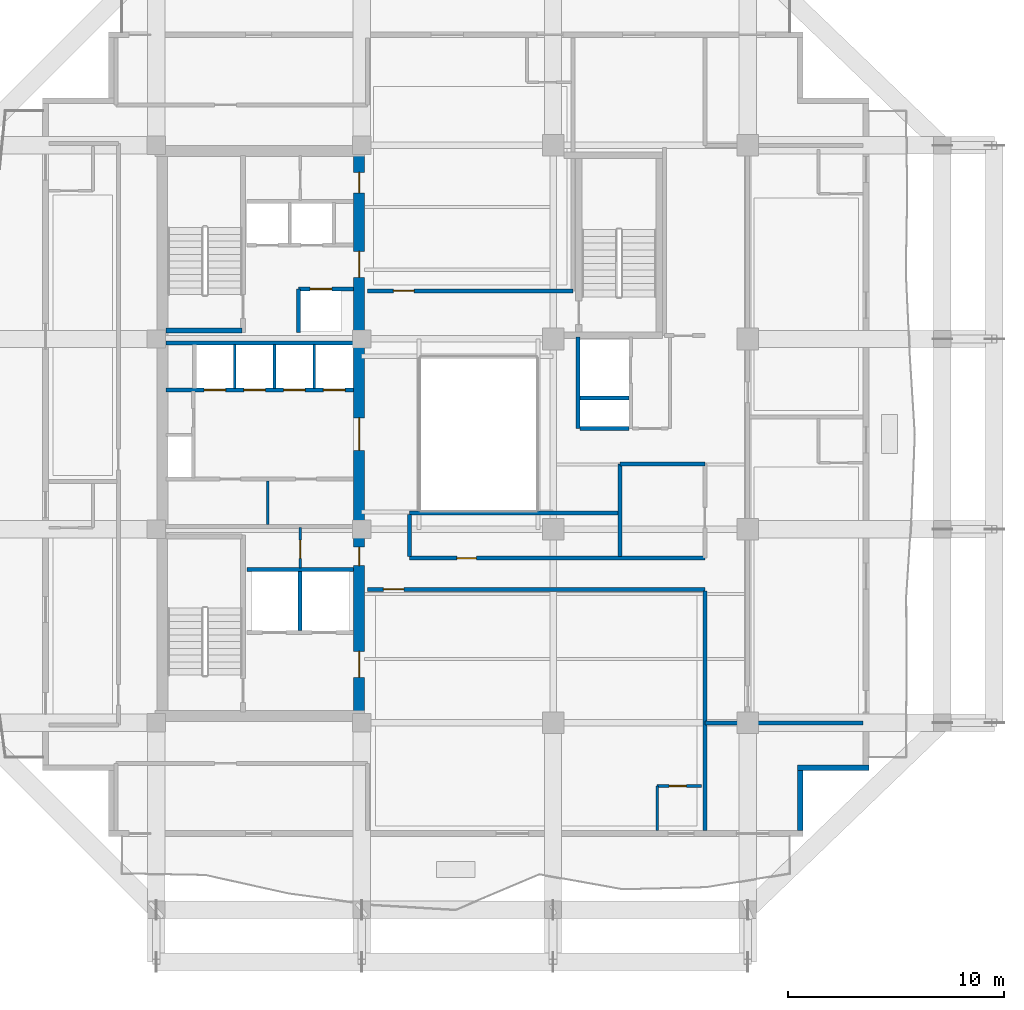
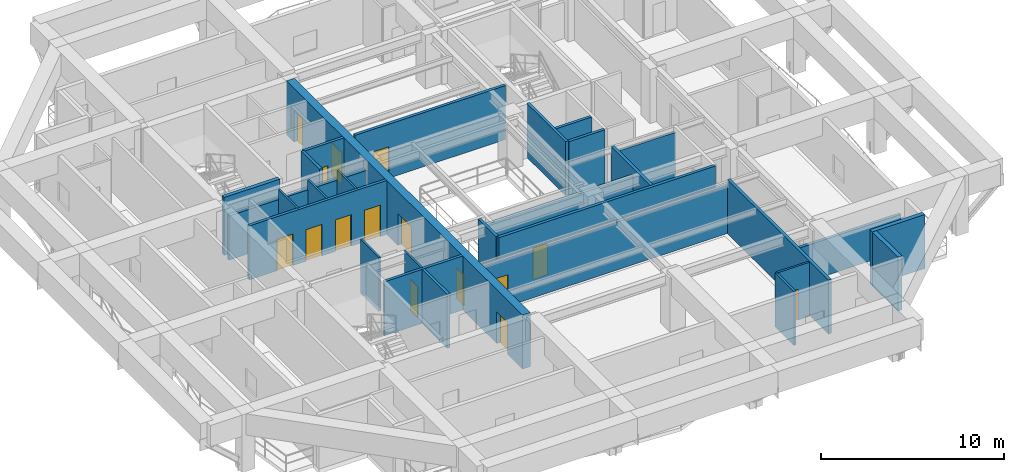
# One storey, part 4 of 11: 29 walls, 15 doors, 15 openings.
"""IFC4 building model written with IfcOpenShell, lengths in metres."""

from ifc_helpers import new_model, si_unit, direction, frame, frame_2d, origin, place, context, subcontext, project, spatial, rectangle, extrude, material, layer, layer_set, type_object, element, fill, save


model = new_model("IFC4")

# Units and contexts
model_context = context("Model", 3, precision=1e-05, world=origin(), true_north=direction((0.0, 1.0)))
body_context = subcontext(model_context, "Body", "Model", "MODEL_VIEW")
ifc_project = project(units=[si_unit("LENGTHUNIT", "METRE"), si_unit("AREAUNIT", "SQUARE_METRE"), si_unit("VOLUMEUNIT", "CUBIC_METRE"), si_unit("PLANEANGLEUNIT", "RADIAN"), si_unit("MASSUNIT", "GRAM", prefix="KILO")], contexts=[model_context])

# Site, building, storey
site_placement = place(None, origin())
site = spatial("IfcSite", under=ifc_project, at=site_placement, CompositionType="ELEMENT")
building_placement = place(site_placement, origin())
building = spatial("IfcBuilding", under=site, at=building_placement, Name="Kundavana Baori Tower", CompositionType="ELEMENT")
storey_placement = place(building_placement, frame((0.0, 0.0, 154.050048828125)))
storey = spatial("IfcBuildingStorey", under=building, at=storey_placement, Name="L37", CompositionType="ELEMENT", Elevation=154.050048828125)

# Wall
ifc_material_1 = material(Name="Concrete C50/60", Category="concrete")
ifc_layer_1 = layer(ifc_material_1, 0.39990234375, Name="WL-CORE-400")
ifc_layer_set_1 = layer_set([ifc_layer_1], Name="Concrete C50/60")
wall_type_1 = type_object("IfcWallType", Name="WL-CORE-400", PredefinedType="SHEAR", material=ifc_layer_set_1)
wall_1_placement = place(storey_placement, frame((15.89990234375, 33.389892578125, 0.0), z_axis=(0.0, 0.0, 1.0), x_axis=(1.0, 0.0, 0.0)))
element("IfcWall", 1, at=wall_1_placement, inside=storey, type_object=wall_type_1, Name="WL-L37-ST2-S", PredefinedType="SHEAR", context=body_context, shape_type="SweptSolid", body=[
    extrude(rectangle(XDim=3.52001953125, YDim=0.239990234375, at=frame_2d((1.760009765625, 0.0))), origin(), (0.0, 0.0, 1.0), 3.849853515625),
])

# Wall, openings, doors
ifc_material_2 = material(Name="Concrete C50/60", Category="concrete")
ifc_layer_2 = layer(ifc_material_2, 0.5, Name="WL-CORE-500")
ifc_layer_set_2 = layer_set([ifc_layer_2], Name="Concrete C50/60")
wall_type_2 = type_object("IfcWallType", Name="WL-CORE-500", PredefinedType="SHEAR", material=ifc_layer_set_2)
wall_2_placement = place(storey_placement, frame((24.830078125, 15.739990234375, 0.0), z_axis=(0.0, 0.0, 1.0), x_axis=(0.0, 1.0, 0.0)))
wall_2 = element("IfcWall", 2, at=wall_2_placement, inside=storey, type_object=wall_type_2, Name="L37 Offset Core East Shear Wall", PredefinedType="SHEAR", context=body_context, shape_type="SweptSolid", body=[
    extrude(rectangle(XDim=25.760009765625, YDim=0.5, at=frame_2d((12.8798828125, 0.0))), origin(), (0.0, 0.0, 1.0), 3.599853515625),
])
opening_1_placement = place(wall_2_placement, frame((1.610107421875, 0.0, 0.0)))
opening_1 = element("IfcOpeningElement", 3, at=opening_1_placement, cuts=wall_2, Name="Opening FD-120", PredefinedType="OPENING", context=body_context, shape_type="SweptSolid", body=[
    extrude(rectangle(XDim=1.199951171875, YDim=2.10009765625, at=frame_2d((0.60009765625, 1.050048828125))), frame((0.0, 0.260009765625, 0.0), z_axis=(0.0, -1.0, 0.0), x_axis=(1.0, 0.0, 0.0)), (0.0, 0.0, 1.0), 0.52001953125),
])
opening_2_placement = place(wall_2_placement, frame((6.780029296875, 0.0, 0.0)))
opening_2 = element("IfcOpeningElement", 4, at=opening_2_placement, cuts=wall_2, Name="Opening FD-085", PredefinedType="OPENING", context=body_context, shape_type="SweptSolid", body=[
    extrude(rectangle(XDim=0.85009765625, YDim=2.06005859375, at=frame_2d((0.425048828125, 1.030029296875))), frame((0.0, 0.260009765625, 0.0), z_axis=(0.0, -1.0, 0.0), x_axis=(1.0, 0.0, 0.0)), (0.0, 0.0, 1.0), 0.52001953125),
])
opening_3_placement = place(wall_2_placement, frame((12.110107421875, 0.0, 0.0)))
opening_3 = element("IfcOpeningElement", 5, at=opening_3_placement, cuts=wall_2, Name="Opening FD-150", PredefinedType="OPENING", context=body_context, shape_type="SweptSolid", body=[
    extrude(rectangle(XDim=1.5, YDim=2.1201171875, at=frame_2d((0.75, 1.06005859375))), frame((0.0, 0.260009765625, 0.0), z_axis=(0.0, -1.0, 0.0), x_axis=(1.0, 0.0, 0.0)), (0.0, 0.0, 1.0), 0.52001953125),
])
opening_4_placement = place(wall_2_placement, frame((20.110107421875, 0.0, 0.0)))
opening_4 = element("IfcOpeningElement", 6, at=opening_4_placement, cuts=wall_2, Name="Opening FD-122", PredefinedType="OPENING", context=body_context, shape_type="SweptSolid", body=[
    extrude(rectangle(XDim=1.199951171875, YDim=2.1201171875, at=frame_2d((0.60009765625, 1.06005859375))), frame((0.0, 0.260009765625, 0.0), z_axis=(0.0, -1.0, 0.0), x_axis=(1.0, 0.0, 0.0)), (0.0, 0.0, 1.0), 0.52001953125),
])
opening_5_placement = place(wall_2_placement, frame((24.010009765625, 0.0, 0.0)))
opening_5 = element("IfcOpeningElement", 7, at=opening_5_placement, cuts=wall_2, Name="Opening FD-095", PredefinedType="OPENING", context=body_context, shape_type="SweptSolid", body=[
    extrude(rectangle(XDim=0.949951171875, YDim=2.10009765625, at=frame_2d((0.47509765625, 1.050048828125))), frame((0.0, 0.260009765625, 0.0), z_axis=(0.0, -1.0, 0.0), x_axis=(1.0, 0.0, 0.0)), (0.0, 0.0, 1.0), 0.52001953125),
])
ifc_material_3 = material(Name="Galvanised Steel Fire-Rated Door Leaf", Category="steel")
door_type_1 = type_object("IfcDoorType", Name="DR-FD120-1200", OperationType="NOTDEFINED", PredefinedType="DOOR", material=ifc_material_3)
door_1_placement = place(opening_1_placement, frame((1.199951171875, 0.0, 0.0), z_axis=(0.0, 0.0, 1.0), x_axis=(-1.0, 0.0, 0.0)))
door_1 = element("IfcDoor", 8, at=door_1_placement, inside=storey, type_object=door_type_1, Name="DR-L37-FFLOB-E", OperationType="SINGLE_SWING_RIGHT", OverallHeight=2.10009765625, OverallWidth=1.199951171875, PredefinedType="DOOR", context=body_context, shape_type="SweptSolid", body=[
    extrude(rectangle(XDim=1.199951171875, YDim=2.10009765625, at=frame_2d((0.60009765625, 1.050048828125))), frame((0.0, 0.02490234375, 0.0), z_axis=(0.0, -1.0, 0.0), x_axis=(1.0, 0.0, 0.0)), (0.0, 0.0, 1.0), 0.050048828125),
])
fill(opening_1, door_1)
ifc_material_4 = material(Name="Galvanised Steel Fire-Rated Door Leaf", Category="steel")
door_type_2 = type_object("IfcDoorType", Name="DR-FD60-1200", OperationType="NOTDEFINED", PredefinedType="DOOR", material=ifc_material_4)
door_2_placement = place(opening_4_placement, frame((1.199951171875, 0.0, 0.0), z_axis=(0.0, 0.0, 1.0), x_axis=(-1.0, 0.0, 0.0)))
door_2 = element("IfcDoor", 9, at=door_2_placement, inside=storey, type_object=door_type_2, Name="DR-L37-HRLOB-E", OperationType="SINGLE_SWING_RIGHT", OverallHeight=2.1201171875, OverallWidth=1.199951171875, PredefinedType="DOOR", context=body_context, shape_type="SweptSolid", body=[
    extrude(rectangle(XDim=1.199951171875, YDim=2.1201171875, at=frame_2d((0.60009765625, 1.06005859375))), frame((0.0, 0.02490234375, 0.0), z_axis=(0.0, -1.0, 0.0), x_axis=(1.0, 0.0, 0.0)), (0.0, 0.0, 1.0), 0.050048828125),
])
fill(opening_4, door_2)
ifc_material_5 = material(Name="Galvanised Steel Fire-Rated Door Leaf", Category="steel")
door_type_3 = type_object("IfcDoorType", Name="DR-FD60-1500", OperationType="NOTDEFINED", PredefinedType="DOOR", material=ifc_material_5)
door_3_placement = place(opening_3_placement, frame((1.5, 0.0, 0.0), z_axis=(0.0, 0.0, 1.0), x_axis=(-1.0, 0.0, 0.0)))
door_3 = element("IfcDoor", 10, at=door_3_placement, inside=storey, type_object=door_type_3, Name="DR-L37-LIFTHALL-E", OperationType="SINGLE_SWING_LEFT", OverallHeight=2.1201171875, OverallWidth=1.5, PredefinedType="DOOR", context=body_context, shape_type="SweptSolid", body=[
    extrude(rectangle(XDim=1.5, YDim=2.1201171875, at=frame_2d((0.75, 1.06005859375))), frame((0.0, 0.02490234375, 0.0), z_axis=(0.0, -1.0, 0.0), x_axis=(1.0, 0.0, 0.0)), (0.0, 0.0, 1.0), 0.050048828125),
])
fill(opening_3, door_3)
ifc_material_6 = material(Name="Galvanised Steel Fire-Rated Door Leaf", Category="steel")
door_type_4 = type_object("IfcDoorType", Name="DR-FD60-850", OperationType="NOTDEFINED", PredefinedType="DOOR", material=ifc_material_6)
door_4_placement = place(opening_2_placement, frame((0.85009765625, 0.0, 0.0), z_axis=(0.0, 0.0, 1.0), x_axis=(-1.0, 0.0, 0.0)))
door_4 = element("IfcDoor", 11, at=door_4_placement, inside=storey, type_object=door_type_4, Name="DR-L37-CSMK2", OperationType="SINGLE_SWING_RIGHT", OverallHeight=2.06005859375, OverallWidth=0.85009765625, PredefinedType="DOOR", context=body_context, shape_type="SweptSolid", body=[
    extrude(rectangle(XDim=0.85009765625, YDim=2.06005859375, at=frame_2d((0.425048828125, 1.030029296875))), frame((0.0, 0.02490234375, 0.0), z_axis=(0.0, -1.0, 0.0), x_axis=(1.0, 0.0, 0.0)), (0.0, 0.0, 1.0), 0.050048828125),
])
fill(opening_2, door_4)
ifc_material_7 = material(Name="Engineered Teak Fire-Rated Timber Door Leaf", Category="wood")
door_type_5 = type_object("IfcDoorType", Name="DR-FD60-950", OperationType="NOTDEFINED", PredefinedType="DOOR", material=ifc_material_7)
door_5_placement = place(opening_5_placement, frame((0.949951171875, 0.0, 0.0), z_axis=(0.0, 0.0, 1.0), x_axis=(-1.0, 0.0, 0.0)))
door_5 = element("IfcDoor", 12, at=door_5_placement, inside=storey, type_object=door_type_5, Name="DR-L37-CSRV2", OperationType="SINGLE_SWING_RIGHT", OverallHeight=2.10009765625, OverallWidth=0.949951171875, PredefinedType="DOOR", context=body_context, shape_type="SweptSolid", body=[
    extrude(rectangle(XDim=0.949951171875, YDim=2.10009765625, at=frame_2d((0.47509765625, 1.050048828125))), frame((0.0, 0.02490234375, 0.0), z_axis=(0.0, -1.0, 0.0), x_axis=(1.0, 0.0, 0.0)), (0.0, 0.0, 1.0), 0.050048828125),
])
fill(opening_5, door_5)

# Walls
ifc_material_8 = material(Name="Kiln-Fired Terracotta Brick-Slip Masonry on Concrete C40/50", Category="masonry")
ifc_layer_3 = layer(ifc_material_8, 0.260009765625, Name="WL-EXT-BRK-260")
ifc_layer_set_3 = layer_set([ifc_layer_3], Name="Kiln-Fired Terracotta Brick-Slip Masonry on Concrete C40/50")
wall_type_3 = type_object("IfcWallType", Name="WL-EXT-BRK-260", PredefinedType="SOLIDWALL", material=ifc_layer_set_3)
wall_3_placement = place(storey_placement, frame((45.219970703125, 10.260009765625, 0.0), z_axis=(0.0, 0.0, 1.0), x_axis=(0.0, 1.0, 0.0)))
element("IfcWall", 13, at=wall_3_placement, inside=storey, type_object=wall_type_3, Name="L37 Exterior Insulated Facade Wall 02", PredefinedType="SOLIDWALL", context=body_context, shape_type="SweptSolid", body=[
    extrude(rectangle(XDim=2.7900390625, YDim=0.260009765625, at=frame_2d((1.39501953125, 0.0))), origin(), (0.0, 0.0, 1.0), 3.599853515625),
])
wall_4_placement = place(storey_placement, frame((45.090087890625, 13.179931640625, 0.0), z_axis=(0.0, 0.0, 1.0), x_axis=(1.0, 0.0, 0.0)))
element("IfcWall", 14, at=wall_4_placement, inside=storey, type_object=wall_type_3, Name="L37 Exterior Insulated Facade Wall 03", PredefinedType="SOLIDWALL", context=body_context, shape_type="SweptSolid", body=[
    extrude(rectangle(XDim=3.309814453125, YDim=0.260009765625, at=frame_2d((1.65478515625, 0.0))), origin(), (0.0, 0.0, 1.0), 3.599853515625),
])

# Wall, opening, door
ifc_material_9 = material(Name="Acoustic Gypsum Plasterboard on Galvanised Steel Studs", Category="steel")
ifc_layer_4 = layer(ifc_material_9, 0.1201171875, Name="WL-PART-120")
ifc_layer_set_4 = layer_set([ifc_layer_4], Name="Acoustic Gypsum Plasterboard on Galvanised Steel Studs")
wall_type_4 = type_object("IfcWallType", Name="WL-PART-120", PredefinedType="PARTITIONING", material=ifc_layer_set_4)
wall_5_placement = place(storey_placement, frame((22.10009765625, 22.39990234375, 0.0), z_axis=(0.0, 0.0, 1.0), x_axis=(0.0, 1.0, 0.0)))
wall_5 = element("IfcWall", 15, at=wall_5_placement, inside=storey, type_object=wall_type_4, Name="WL-L37-CSMK-D1", PredefinedType="PARTITIONING", context=body_context, shape_type="SweptSolid", body=[
    extrude(rectangle(XDim=1.880126953125, YDim=0.1201171875, at=frame_2d((0.93994140625, 0.0))), origin(), (0.0, 0.0, 1.0), 3.599853515625),
])
opening_6_placement = place(wall_5_placement, frame((0.449951171875, 0.0, 0.0)))
opening_6 = element("IfcOpeningElement", 16, at=opening_6_placement, cuts=wall_5, Name="Opening FD-085", PredefinedType="OPENING", context=body_context, shape_type="SweptSolid", body=[
    extrude(rectangle(XDim=0.85009765625, YDim=2.06005859375, at=frame_2d((0.425048828125, 1.030029296875))), frame((0.0, 0.070068359375, 0.0), z_axis=(0.0, -1.0, 0.0), x_axis=(1.0, 0.0, 0.0)), (0.0, 0.0, 1.0), 0.14013671875),
])
door_6_placement = place(opening_6_placement, origin())
door_6 = element("IfcDoor", 17, at=door_6_placement, inside=storey, type_object=door_type_4, Name="DR-L37-CSMK1", OperationType="SINGLE_SWING_LEFT", OverallHeight=2.06005859375, OverallWidth=0.85009765625, PredefinedType="DOOR", context=body_context, shape_type="SweptSolid", body=[
    extrude(rectangle(XDim=0.85009765625, YDim=2.06005859375, at=frame_2d((0.425048828125, 1.030029296875))), frame((0.0, 0.02490234375, 0.0), z_axis=(0.0, -1.0, 0.0), x_axis=(1.0, 0.0, 0.0)), (0.0, 0.0, 1.0), 0.050048828125),
])
fill(opening_6, door_6)

# Walls
wall_6_placement = place(storey_placement, frame((20.60009765625, 24.419921875, 0.0), z_axis=(0.0, 0.0, 1.0), x_axis=(0.0, 1.0, 0.0)))
element("IfcWall", 18, at=wall_6_placement, inside=storey, type_object=wall_type_4, Name="WL-L37-FRLOW-DIV", PredefinedType="PARTITIONING", context=body_context, shape_type="SweptSolid", body=[
    extrude(rectangle(XDim=2.02001953125, YDim=0.1201171875, at=frame_2d((1.010009765625, 0.0))), origin(), (0.0, 0.0, 1.0), 3.599853515625),
])
for number, where, z_axis, x_axis, name in (
    (19, (19.080078125, 30.699951171875, 0.0), (0.0, 0.0, 1.0), (0.0, 1.0, 0.0), "WL-L37-LPMID-D1"),
    (20, (20.919921875, 30.699951171875, 0.0), (0.0, 0.0, 1.0), (0.0, 1.0, 0.0), "WL-L37-LPMID-D2"),
    (21, (22.760009765625, 30.699951171875, 0.0), (0.0, 0.0, 1.0), (0.0, 1.0, 0.0), "WL-L37-LPMID-D3"),
):
    element("IfcWall", number, at=place(storey_placement, frame(where, z_axis=z_axis, x_axis=x_axis)), inside=storey, type_object=wall_type_4, Name=name, PredefinedType="PARTITIONING", context=body_context, shape_type="SweptSolid", body=[
        extrude(rectangle(XDim=2.050048828125, YDim=0.1201171875, at=frame_2d((1.02490234375, 0.0))), origin(), (0.0, 0.0, 1.0), 3.599853515625),
    ])

# Wall, opening, door
ifc_material_10 = material(Name="Autoclaved Aerated Concrete Blockwork Masonry", Category="masonry")
ifc_layer_5 = layer(ifc_material_10, 0.18505859375, Name="WL-PART-180")
ifc_layer_set_5 = layer_set([ifc_layer_5], Name="Autoclaved Aerated Concrete Blockwork Masonry")
wall_type_5 = type_object("IfcWallType", Name="WL-PART-180", PredefinedType="SOLIDWALL", material=ifc_layer_set_5)
wall_7_placement = place(storey_placement, frame((25.219970703125, 21.419921875, 0.0), z_axis=(0.0, 0.0, 1.0), x_axis=(1.0, 0.0, 0.0)))
wall_7 = element("IfcWall", 22, at=wall_7_placement, inside=storey, type_object=wall_type_5, Name="WL-L37-HS", PredefinedType="SOLIDWALL", context=body_context, shape_type="SweptSolid", body=[
    extrude(rectangle(XDim=15.60009765625, YDim=0.18505859375, at=frame_2d((7.800048828125, 0.0))), origin(), (0.0, 0.0, 1.0), 3.199951171875),
])
opening_7_placement = place(wall_7_placement, frame((0.72998046875, 0.0, 0.0)))
opening_7 = element("IfcOpeningElement", 23, at=opening_7_placement, cuts=wall_7, Name="Opening FD-095", PredefinedType="OPENING", context=body_context, shape_type="SweptSolid", body=[
    extrude(rectangle(XDim=0.949951171875, YDim=2.10009765625, at=frame_2d((0.47509765625, 1.050048828125))), frame((0.0, 0.1025390625, 0.0), z_axis=(0.0, -1.0, 0.0), x_axis=(1.0, 0.0, 0.0)), (0.0, 0.0, 1.0), 0.205078125),
])
door_7_placement = place(opening_7_placement, frame((0.949951171875, 0.0, 0.0), z_axis=(0.0, 0.0, 1.0), x_axis=(-1.0, 0.0, 0.0)))
door_7 = element("IfcDoor", 24, at=door_7_placement, inside=storey, type_object=door_type_5, Name="DR-L37-HK-S1-ENT", OperationType="SINGLE_SWING_RIGHT", OverallHeight=2.10009765625, OverallWidth=0.949951171875, PredefinedType="DOOR", context=body_context, shape_type="SweptSolid", body=[
    extrude(rectangle(XDim=0.949951171875, YDim=2.10009765625, at=frame_2d((0.47509765625, 1.050048828125))), frame((0.0, 0.02490234375, 0.0), z_axis=(0.0, -1.0, 0.0), x_axis=(1.0, 0.0, 0.0)), (0.0, 0.0, 1.0), 0.050048828125),
])
fill(opening_7, door_7)

wall_8_placement = place(storey_placement, frame((27.14990234375, 22.860107421875, 0.0), z_axis=(0.0, 0.0, 1.0), x_axis=(1.0, 0.0, 0.0)))
wall_8 = element("IfcWall", 25, at=wall_8_placement, inside=storey, type_object=wall_type_5, Name="WL-L37-HST", PredefinedType="SOLIDWALL", context=body_context, shape_type="SweptSolid", body=[
    extrude(rectangle(XDim=13.670166015625, YDim=0.18505859375, at=frame_2d((6.8349609375, 0.0))), origin(), (0.0, 0.0, 1.0), 3.599853515625),
])
opening_8_placement = place(wall_8_placement, frame((2.199951171875, 0.0, 0.0)))
opening_8 = element("IfcOpeningElement", 26, at=opening_8_placement, cuts=wall_8, Name="Opening ID-090", PredefinedType="OPENING", context=body_context, shape_type="SweptSolid", body=[
    extrude(rectangle(XDim=0.89990234375, YDim=2.080078125, at=frame_2d((0.449951171875, 1.0400390625))), frame((0.0, 0.1025390625, 0.0), z_axis=(0.0, -1.0, 0.0), x_axis=(1.0, 0.0, 0.0)), (0.0, 0.0, 1.0), 0.205078125),
])
ifc_material_11 = material(Name="Engineered Teak Solid-Core Timber Veneer", Category="wood")
door_type_6 = type_object("IfcDoorType", Name="DR-INT-900", OperationType="NOTDEFINED", PredefinedType="DOOR", material=ifc_material_11)
door_8_placement = place(opening_8_placement, origin())
door_8 = element("IfcDoor", 27, at=door_8_placement, inside=storey, type_object=door_type_6, Name="DR-L37-HPNT", OperationType="SINGLE_SWING_LEFT", OverallHeight=2.080078125, OverallWidth=0.89990234375, PredefinedType="DOOR", context=body_context, shape_type="SweptSolid", body=[
    extrude(rectangle(XDim=0.89990234375, YDim=2.080078125, at=frame_2d((0.449951171875, 1.0400390625))), frame((0.0, 0.02490234375, 0.0), z_axis=(0.0, -1.0, 0.0), x_axis=(1.0, 0.0, 0.0)), (0.0, 0.0, 1.0), 0.050048828125),
])
fill(opening_8, door_8)

wall_9_placement = place(storey_placement, frame((25.219970703125, 35.219970703125, 0.0), z_axis=(0.0, 0.0, 1.0), x_axis=(1.0, 0.0, 0.0)))
wall_9 = element("IfcWall", 28, at=wall_9_placement, inside=storey, type_object=wall_type_5, Name="WL-L37-HN", PredefinedType="SOLIDWALL", context=body_context, shape_type="SweptSolid", body=[
    extrude(rectangle(XDim=9.5, YDim=0.18505859375, at=frame_2d((4.75, 0.0))), origin(), (0.0, 0.0, 1.0), 3.599853515625),
])
opening_9_placement = place(wall_9_placement, frame((1.199951171875, 0.0, 0.0)))
opening_9 = element("IfcOpeningElement", 29, at=opening_9_placement, cuts=wall_9, Name="Opening FD-095", PredefinedType="OPENING", context=body_context, shape_type="SweptSolid", body=[
    extrude(rectangle(XDim=0.949951171875, YDim=2.10009765625, at=frame_2d((0.47509765625, 1.050048828125))), frame((0.0, 0.1025390625, 0.0), z_axis=(0.0, -1.0, 0.0), x_axis=(1.0, 0.0, 0.0)), (0.0, 0.0, 1.0), 0.205078125),
])
door_9_placement = place(opening_9_placement, origin())
door_9 = element("IfcDoor", 30, at=door_9_placement, inside=storey, type_object=door_type_5, Name="DR-L37-HK-N1-ENT", OperationType="SINGLE_SWING_RIGHT", OverallHeight=2.10009765625, OverallWidth=0.949951171875, PredefinedType="DOOR", context=body_context, shape_type="SweptSolid", body=[
    extrude(rectangle(XDim=0.949951171875, YDim=2.10009765625, at=frame_2d((0.47509765625, 1.050048828125))), frame((0.0, 0.02490234375, 0.0), z_axis=(0.0, -1.0, 0.0), x_axis=(1.0, 0.0, 0.0)), (0.0, 0.0, 1.0), 0.050048828125),
])
fill(opening_9, door_9)

# Walls
wall_10_placement = place(storey_placement, frame((40.820068359375, 15.25, 0.0), z_axis=(0.0, 0.0, 1.0), x_axis=(1.0, 0.0, 0.0)))
element("IfcWall", 31, at=wall_10_placement, inside=storey, type_object=wall_type_5, Name="WL-L37-HES", PredefinedType="SOLIDWALL", context=body_context, shape_type="SweptSolid", body=[
    extrude(rectangle(XDim=7.300048828125, YDim=0.18505859375, at=frame_2d((3.64990234375, 0.0))), origin(), (0.0, 0.0, 1.0), 2.429931640625),
])
wall_11_placement = place(storey_placement, frame((36.89990234375, 27.219970703125, 0.0), z_axis=(0.0, 0.0, 1.0), x_axis=(1.0, 0.0, 0.0)))
element("IfcWall", 32, at=wall_11_placement, inside=storey, type_object=wall_type_5, Name="WL-L37-HKN", PredefinedType="SOLIDWALL", context=body_context, shape_type="SweptSolid", body=[
    extrude(rectangle(XDim=3.920166015625, YDim=0.18505859375, at=frame_2d((1.9599609375, 0.0))), origin(), (0.0, 0.0, 1.0), 3.199951171875),
])
wall_12_placement = place(storey_placement, frame((36.89990234375, 22.93994140625, 0.0), z_axis=(0.0, 0.0, 1.0), x_axis=(0.0, 1.0, 0.0)))
element("IfcWall", 33, at=wall_12_placement, inside=storey, type_object=wall_type_5, Name="WL-L37-HKD", PredefinedType="SOLIDWALL", context=body_context, shape_type="SweptSolid", body=[
    extrude(rectangle(XDim=4.280029296875, YDim=0.18505859375, at=frame_2d((2.14013671875, 0.0))), origin(), (0.0, 0.0, 1.0), 3.599853515625),
])
wall_13_placement = place(storey_placement, frame((27.14990234375, 24.949951171875, 0.0), z_axis=(0.0, 0.0, 1.0), x_axis=(1.0, 0.0, 0.0)))
element("IfcWall", 34, at=wall_13_placement, inside=storey, type_object=wall_type_5, Name="WL-L37-HPN1", PredefinedType="SOLIDWALL", context=body_context, shape_type="SweptSolid", body=[
    extrude(rectangle(XDim=9.670166015625, YDim=0.18505859375, at=frame_2d((4.8349609375, 0.0))), origin(), (0.0, 0.0, 1.0), 3.050048828125),
])
wall_14_placement = place(storey_placement, frame((27.14990234375, 22.93994140625, 0.0), z_axis=(0.0, 0.0, 1.0), x_axis=(0.0, 1.0, 0.0)))
element("IfcWall", 35, at=wall_14_placement, inside=storey, type_object=wall_type_5, Name="WL-L37-HPN2", PredefinedType="SOLIDWALL", context=body_context, shape_type="SweptSolid", body=[
    extrude(rectangle(XDim=1.93994140625, YDim=0.18505859375, at=frame_2d((0.969970703125, 0.0))), origin(), (0.0, 0.0, 1.0), 3.599853515625),
])
wall_15_placement = place(storey_placement, frame((40.820068359375, 10.280029296875, 0.0), z_axis=(0.0, 0.0, 1.0), x_axis=(0.0, 1.0, 0.0)))
element("IfcWall", 36, at=wall_15_placement, inside=storey, type_object=wall_type_5, Name="WL-L37-HSEND", PredefinedType="SOLIDWALL", context=body_context, shape_type="SweptSolid", body=[
    extrude(rectangle(XDim=11.06005859375, YDim=0.18505859375, at=frame_2d((5.530029296875, 0.0))), origin(), (0.0, 0.0, 1.0), 3.599853515625),
])
ifc_material_12 = material(Name="Autoclaved Aerated Concrete Blockwork Masonry", Category="masonry")
ifc_layer_6 = layer(ifc_material_12, 0.179931640625, Name="WL-SHAFT-180")
ifc_layer_set_6 = layer_set([ifc_layer_6], Name="Autoclaved Aerated Concrete Blockwork Masonry")
wall_type_6 = type_object("IfcWallType", Name="WL-SHAFT-180", PredefinedType="SOLIDWALL", material=ifc_layer_set_6)
wall_16_placement = place(storey_placement, frame((22.10009765625, 19.510009765625, 0.0), z_axis=(0.0, 0.0, 1.0), x_axis=(0.0, 1.0, 0.0)))
element("IfcWall", 37, at=wall_16_placement, inside=storey, type_object=wall_type_6, Name="WL-L37-FFL-MID", PredefinedType="SOLIDWALL", context=body_context, shape_type="SweptSolid", body=[
    extrude(rectangle(XDim=2.739990234375, YDim=0.179931640625, at=frame_2d((1.3701171875, 0.0))), origin(), (0.0, 0.0, 1.0), 3.599853515625),
])
wall_17_placement = place(storey_placement, frame((19.639892578125, 22.340087890625, 0.0), z_axis=(0.0, 0.0, 1.0), x_axis=(1.0, 0.0, 0.0)))
element("IfcWall", 38, at=wall_17_placement, inside=storey, type_object=wall_type_6, Name="WL-L37-FFL-N", PredefinedType="SOLIDWALL", context=body_context, shape_type="SweptSolid", body=[
    extrude(rectangle(XDim=4.940185546875, YDim=0.179931640625, at=frame_2d((2.47021484375, 0.0))), origin(), (0.0, 0.0, 1.0), 3.599853515625),
])

# Wall, openings, doors
wall_18_placement = place(storey_placement, frame((15.89990234375, 30.639892578125, 0.0), z_axis=(0.0, 0.0, 1.0), x_axis=(1.0, 0.0, 0.0)))
wall_18 = element("IfcWall", 39, at=wall_18_placement, inside=storey, type_object=wall_type_6, Name="WL-L37-LPMID-S", PredefinedType="SOLIDWALL", context=body_context, shape_type="SweptSolid", body=[
    extrude(rectangle(XDim=8.68017578125, YDim=0.179931640625, at=frame_2d((4.340087890625, 0.0))), origin(), (0.0, 0.0, 1.0), 3.599853515625),
])
opening_10_placement = place(wall_18_placement, frame((1.760009765625, 0.0, 0.0)))
opening_10 = element("IfcOpeningElement", 40, at=opening_10_placement, cuts=wall_18, Name="Opening LD-100", PredefinedType="OPENING", context=body_context, shape_type="SweptSolid", body=[
    extrude(rectangle(XDim=1.0, YDim=2.10009765625, at=frame_2d((0.5, 1.050048828125))), frame((0.0, 0.10009765625, 0.0), z_axis=(0.0, -1.0, 0.0), x_axis=(1.0, 0.0, 0.0)), (0.0, 0.0, 1.0), 0.199951171875),
])
opening_11_placement = place(wall_18_placement, frame((3.60009765625, 0.0, 0.0)))
opening_11 = element("IfcOpeningElement", 41, at=opening_11_placement, cuts=wall_18, Name="Opening LD-100", PredefinedType="OPENING", context=body_context, shape_type="SweptSolid", body=[
    extrude(rectangle(XDim=1.0, YDim=2.10009765625, at=frame_2d((0.5, 1.050048828125))), frame((0.0, 0.10009765625, 0.0), z_axis=(0.0, -1.0, 0.0), x_axis=(1.0, 0.0, 0.0)), (0.0, 0.0, 1.0), 0.199951171875),
])
opening_12_placement = place(wall_18_placement, frame((5.43994140625, 0.0, 0.0)))
opening_12 = element("IfcOpeningElement", 42, at=opening_12_placement, cuts=wall_18, Name="Opening LD-100", PredefinedType="OPENING", context=body_context, shape_type="SweptSolid", body=[
    extrude(rectangle(XDim=1.0, YDim=2.10009765625, at=frame_2d((0.5, 1.050048828125))), frame((0.0, 0.10009765625, 0.0), z_axis=(0.0, -1.0, 0.0), x_axis=(1.0, 0.0, 0.0)), (0.0, 0.0, 1.0), 0.199951171875),
])
opening_13_placement = place(wall_18_placement, frame((7.280029296875, 0.0, 0.0)))
opening_13 = element("IfcOpeningElement", 43, at=opening_13_placement, cuts=wall_18, Name="Opening LD-100", PredefinedType="OPENING", context=body_context, shape_type="SweptSolid", body=[
    extrude(rectangle(XDim=1.0, YDim=2.10009765625, at=frame_2d((0.5, 1.050048828125))), frame((0.0, 0.10009765625, 0.0), z_axis=(0.0, -1.0, 0.0), x_axis=(1.0, 0.0, 0.0)), (0.0, 0.0, 1.0), 0.199951171875),
])
ifc_material_13 = material(Name="Galvanised Steel Fire-Rated Door Leaf", Category="steel")
door_type_7 = type_object("IfcDoorType", Name="DR-SLIDE-LD1000", OperationType="NOTDEFINED", PredefinedType="DOOR", material=ifc_material_13)
door_10_placement = place(opening_10_placement, frame((1.0, 0.0, 0.0), z_axis=(0.0, 0.0, 1.0), x_axis=(-1.0, 0.0, 0.0)))
door_10 = element("IfcDoor", 44, at=door_10_placement, inside=storey, type_object=door_type_7, Name="DR-L37-LD-LP-05", OperationType="DOUBLE_DOOR_SLIDING", OverallHeight=2.10009765625, OverallWidth=1.0, PredefinedType="DOOR", context=body_context, shape_type="SweptSolid", body=[
    extrude(rectangle(XDim=1.0, YDim=2.10009765625, at=frame_2d((0.5, 1.050048828125))), frame((0.0, 0.02490234375, 0.0), z_axis=(0.0, -1.0, 0.0), x_axis=(1.0, 0.0, 0.0)), (0.0, 0.0, 1.0), 0.050048828125),
])
fill(opening_10, door_10)
door_11_placement = place(opening_11_placement, frame((1.0, 0.0, 0.0), z_axis=(0.0, 0.0, 1.0), x_axis=(-1.0, 0.0, 0.0)))
door_11 = element("IfcDoor", 45, at=door_11_placement, inside=storey, type_object=door_type_7, Name="DR-L37-LD-LP-06", OperationType="DOUBLE_DOOR_SLIDING", OverallHeight=2.10009765625, OverallWidth=1.0, PredefinedType="DOOR", context=body_context, shape_type="SweptSolid", body=[
    extrude(rectangle(XDim=1.0, YDim=2.10009765625, at=frame_2d((0.5, 1.050048828125))), frame((0.0, 0.02490234375, 0.0), z_axis=(0.0, -1.0, 0.0), x_axis=(1.0, 0.0, 0.0)), (0.0, 0.0, 1.0), 0.050048828125),
])
fill(opening_11, door_11)
door_12_placement = place(opening_12_placement, frame((1.0, 0.0, 0.0), z_axis=(0.0, 0.0, 1.0), x_axis=(-1.0, 0.0, 0.0)))
door_12 = element("IfcDoor", 46, at=door_12_placement, inside=storey, type_object=door_type_7, Name="DR-L37-LD-LP-07", OperationType="DOUBLE_DOOR_SLIDING", OverallHeight=2.10009765625, OverallWidth=1.0, PredefinedType="DOOR", context=body_context, shape_type="SweptSolid", body=[
    extrude(rectangle(XDim=1.0, YDim=2.10009765625, at=frame_2d((0.5, 1.050048828125))), frame((0.0, 0.02490234375, 0.0), z_axis=(0.0, -1.0, 0.0), x_axis=(1.0, 0.0, 0.0)), (0.0, 0.0, 1.0), 0.050048828125),
])
fill(opening_12, door_12)
door_13_placement = place(opening_13_placement, frame((1.0, 0.0, 0.0), z_axis=(0.0, 0.0, 1.0), x_axis=(-1.0, 0.0, 0.0)))
door_13 = element("IfcDoor", 47, at=door_13_placement, inside=storey, type_object=door_type_7, Name="DR-L37-LD-LP-08", OperationType="DOUBLE_DOOR_SLIDING", OverallHeight=2.10009765625, OverallWidth=1.0, PredefinedType="DOOR", context=body_context, shape_type="SweptSolid", body=[
    extrude(rectangle(XDim=1.0, YDim=2.10009765625, at=frame_2d((0.5, 1.050048828125))), frame((0.0, 0.02490234375, 0.0), z_axis=(0.0, -1.0, 0.0), x_axis=(1.0, 0.0, 0.0)), (0.0, 0.0, 1.0), 0.050048828125),
])
fill(opening_13, door_13)

# Wall
wall_19_placement = place(storey_placement, frame((15.89990234375, 32.820068359375, 0.0), z_axis=(0.0, 0.0, 1.0), x_axis=(1.0, 0.0, 0.0)))
element("IfcWall", 48, at=wall_19_placement, inside=storey, type_object=wall_type_6, Name="WL-L37-LPMID-N", PredefinedType="SOLIDWALL", context=body_context, shape_type="SweptSolid", body=[
    extrude(rectangle(XDim=8.68017578125, YDim=0.179931640625, at=frame_2d((4.340087890625, 0.0))), origin(), (0.0, 0.0, 1.0), 2.949951171875),
])

# Wall, opening, door
wall_20_placement = place(storey_placement, frame((22.02001953125, 35.31005859375, 0.0), z_axis=(0.0, 0.0, 1.0), x_axis=(1.0, 0.0, 0.0)))
wall_20 = element("IfcWall", 49, at=wall_20_placement, inside=storey, type_object=wall_type_6, Name="WL-L37-LP11-N", PredefinedType="SOLIDWALL", context=body_context, shape_type="SweptSolid", body=[
    extrude(rectangle(XDim=2.56005859375, YDim=0.179931640625, at=frame_2d((1.280029296875, 0.0))), origin(), (0.0, 0.0, 1.0), 3.599853515625),
])
opening_14_placement = place(wall_20_placement, frame((0.550048828125, 0.0, 0.0)))
opening_14 = element("IfcOpeningElement", 50, at=opening_14_placement, cuts=wall_20, Name="Opening LD-100", PredefinedType="OPENING", context=body_context, shape_type="SweptSolid", body=[
    extrude(rectangle(XDim=1.0, YDim=2.10009765625, at=frame_2d((0.5, 1.050048828125))), frame((0.0, 0.10009765625, 0.0), z_axis=(0.0, -1.0, 0.0), x_axis=(1.0, 0.0, 0.0)), (0.0, 0.0, 1.0), 0.199951171875),
])
door_14_placement = place(opening_14_placement, origin())
door_14 = element("IfcDoor", 51, at=door_14_placement, inside=storey, type_object=door_type_7, Name="DR-L37-LD-LP11", OperationType="DOUBLE_DOOR_SLIDING", OverallHeight=2.10009765625, OverallWidth=1.0, PredefinedType="DOOR", context=body_context, shape_type="SweptSolid", body=[
    extrude(rectangle(XDim=1.0, YDim=2.10009765625, at=frame_2d((0.5, 1.050048828125))), frame((0.0, 0.02490234375, 0.0), z_axis=(0.0, -1.0, 0.0), x_axis=(1.0, 0.0, 0.0)), (0.0, 0.0, 1.0), 0.050048828125),
])
fill(opening_14, door_14)

# Walls
wall_21_placement = place(storey_placement, frame((22.02001953125, 33.300048828125, 0.0), z_axis=(0.0, 0.0, 1.0), x_axis=(0.0, 1.0, 0.0)))
element("IfcWall", 52, at=wall_21_placement, inside=storey, type_object=wall_type_6, Name="WL-L37-LP11-W", PredefinedType="SOLIDWALL", context=body_context, shape_type="SweptSolid", body=[
    extrude(rectangle(XDim=2.010009765625, YDim=0.179931640625, at=frame_2d((1.0048828125, 0.0))), origin(), (0.0, 0.0, 1.0), 3.599853515625),
])
wall_22_placement = place(storey_placement, frame((34.9599609375, 28.860107421875, 0.0), z_axis=(0.0, 0.0, 1.0), x_axis=(0.0, 1.0, 0.0)))
element("IfcWall", 53, at=wall_22_placement, inside=storey, type_object=wall_type_6, Name="WL-L37-SVL-W", PredefinedType="SOLIDWALL", context=body_context, shape_type="SweptSolid", body=[
    extrude(rectangle(XDim=4.219970703125, YDim=0.179931640625, at=frame_2d((2.10986328125, 0.0))), origin(), (0.0, 0.0, 1.0), 3.599853515625),
])
for number, where, z_axis, x_axis, name in (
    (54, (35.050048828125, 28.860107421875, 0.0), (0.0, 0.0, 1.0), (1.0, 0.0, 0.0), "WL-L37-SVL-S"),
    (55, (35.050048828125, 30.27001953125, 0.0), (0.0, 0.0, 1.0), (1.0, 0.0, 0.0), "WL-L37-SVL-M"),
):
    element("IfcWall", number, at=place(storey_placement, frame(where, z_axis=z_axis, x_axis=x_axis)), inside=storey, type_object=wall_type_6, Name=name, PredefinedType="SOLIDWALL", context=body_context, shape_type="SweptSolid", body=[
        extrude(rectangle(XDim=2.25, YDim=0.179931640625, at=frame_2d((1.125, 0.0))), origin(), (0.0, 0.0, 1.0), 3.599853515625),
    ])
ifc_material_14 = material(Name="Autoclaved Aerated Concrete Blockwork Masonry", Category="masonry")
ifc_layer_7 = layer(ifc_material_14, 0.125, Name="WL-WET-120")
ifc_layer_set_7 = layer_set([ifc_layer_7], Name="Autoclaved Aerated Concrete Blockwork Masonry")
wall_type_7 = type_object("IfcWallType", Name="WL-WET-120", PredefinedType="PLUMBINGWALL", material=ifc_layer_set_7)
wall_23_placement = place(storey_placement, frame((38.610107421875, 10.280029296875, 0.0), z_axis=(0.0, 0.0, 1.0), x_axis=(0.0, 1.0, 0.0)))
element("IfcWall", 56, at=wall_23_placement, inside=storey, type_object=wall_type_7, Name="WL-L37-HK-S1-BW", PredefinedType="PLUMBINGWALL", context=body_context, shape_type="SweptSolid", body=[
    extrude(rectangle(XDim=2.050048828125, YDim=0.125, at=frame_2d((1.02490234375, 0.0))), origin(), (0.0, 0.0, 1.0), 3.599853515625),
])

# Wall, opening, door
wall_24_placement = place(storey_placement, frame((38.610107421875, 12.330078125, 0.0), z_axis=(0.0, 0.0, 1.0), x_axis=(1.0, 0.0, 0.0)))
wall_24 = element("IfcWall", 57, at=wall_24_placement, inside=storey, type_object=wall_type_7, Name="WL-L37-HK-S1-BN", PredefinedType="PLUMBINGWALL", context=body_context, shape_type="SweptSolid", body=[
    extrude(rectangle(XDim=2.0498046875, YDim=0.125, at=frame_2d((1.02490234375, 0.0))), origin(), (0.0, 0.0, 1.0), 3.599853515625),
])
opening_15_placement = place(wall_24_placement, frame((0.550048828125, 0.0, 0.0)))
opening_15 = element("IfcOpeningElement", 58, at=opening_15_placement, cuts=wall_24, Name="Opening WD-080", PredefinedType="OPENING", context=body_context, shape_type="SweptSolid", body=[
    extrude(rectangle(XDim=0.800048828125, YDim=2.050048828125, at=frame_2d((0.39990234375, 1.02490234375))), frame((0.0, 0.072509765625, 0.0), z_axis=(0.0, -1.0, 0.0), x_axis=(1.0, 0.0, 0.0)), (0.0, 0.0, 1.0), 0.14501953125),
])
ifc_material_15 = material(Name="Engineered Teak Solid-Core Timber Veneer", Category="wood")
door_type_8 = type_object("IfcDoorType", Name="DR-WET-800", OperationType="NOTDEFINED", PredefinedType="DOOR", material=ifc_material_15)
door_15_placement = place(opening_15_placement, origin())
door_15 = element("IfcDoor", 59, at=door_15_placement, inside=storey, type_object=door_type_8, Name="DR-L37-HK-S1-ENS", OperationType="SINGLE_SWING_LEFT", OverallHeight=2.050048828125, OverallWidth=0.800048828125, PredefinedType="DOOR", context=body_context, shape_type="SweptSolid", body=[
    extrude(rectangle(XDim=0.800048828125, YDim=2.050048828125, at=frame_2d((0.39990234375, 1.02490234375))), frame((0.0, 0.02490234375, 0.0), z_axis=(0.0, -1.0, 0.0), x_axis=(1.0, 0.0, 0.0)), (0.0, 0.0, 1.0), 0.050048828125),
])
fill(opening_15, door_15)

save(model, "model.ifc")
